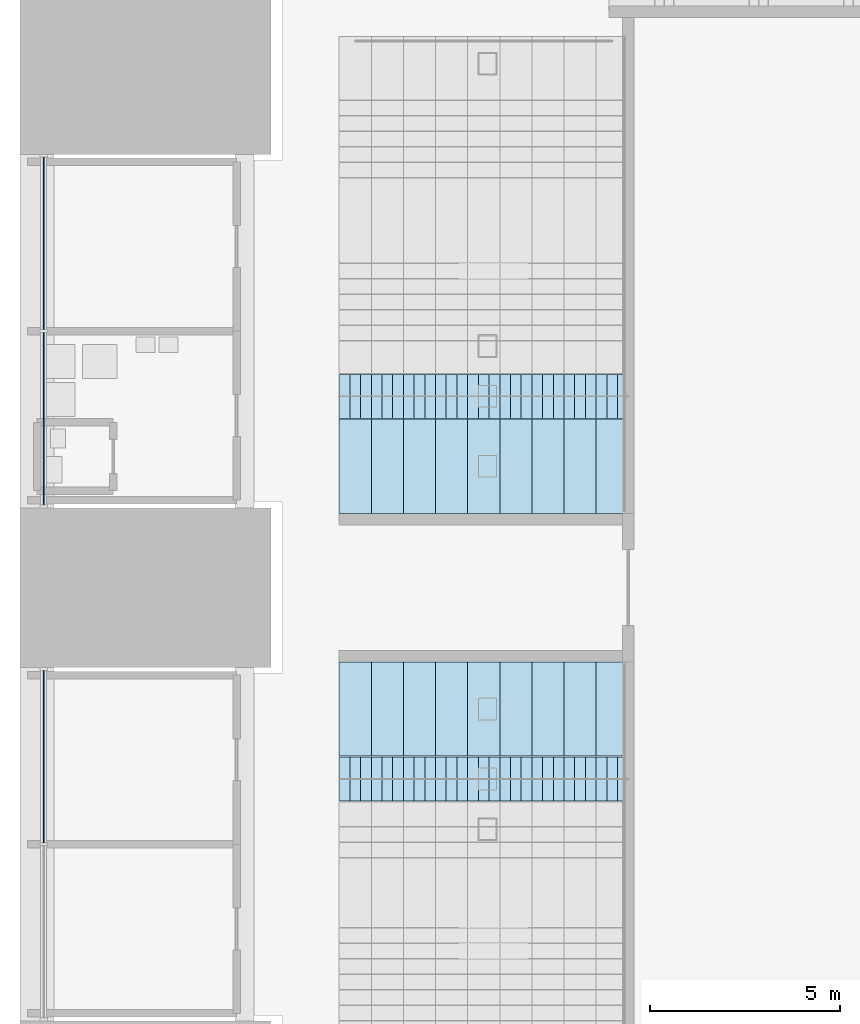
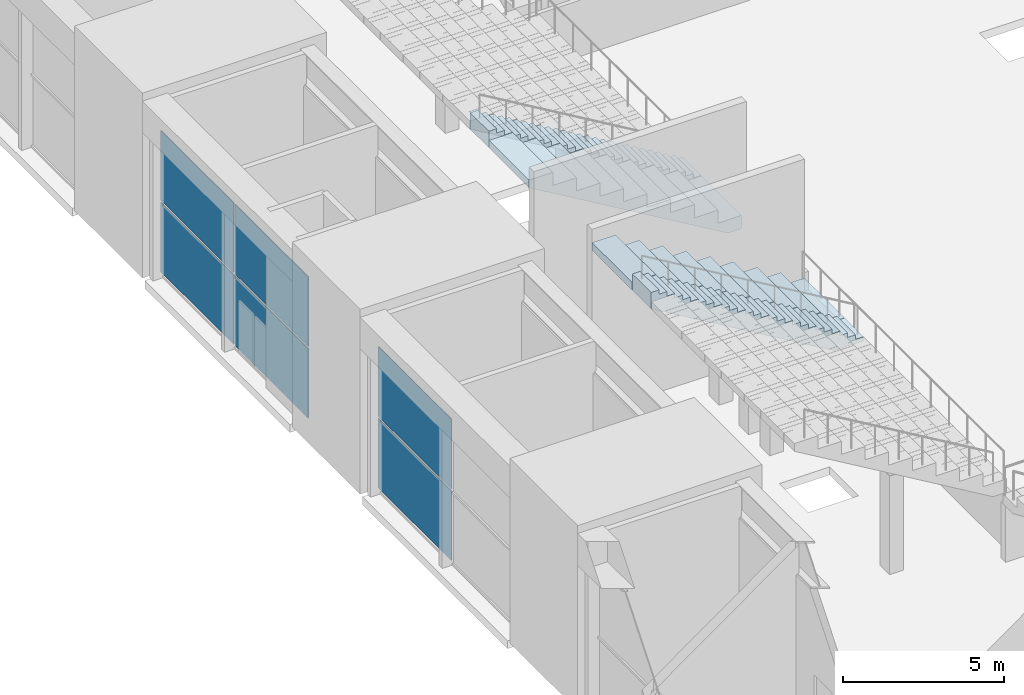
# One storey, part 21 of 62: 6 plates, 4 slabs, 2 elements without a shape of their own.
"""IFC4 building model written with IfcOpenShell, lengths in metres."""

from ifc_helpers import new_model, si_unit, direction, frame, origin, origin_2d, place, context, subcontext, project, spatial, polyline, rectangle, outline, extrude, material, layer, layer_set, type_object, element, aggregate, save


model = new_model("IFC4")

# Units and contexts
model_context = context("Model", 3, precision=1e-05, world=origin(), true_north=direction((0.0, 1.0)))
body_context = subcontext(model_context, "Body", "Model", "MODEL_VIEW")
ifc_project = project(units=[si_unit("LENGTHUNIT", "METRE"), si_unit("AREAUNIT", "SQUARE_METRE"), si_unit("VOLUMEUNIT", "CUBIC_METRE"), si_unit("PLANEANGLEUNIT", "RADIAN"), si_unit("MASSUNIT", "GRAM", prefix="KILO")], contexts=[model_context])

# Site, building, storey
site_placement = place(None, origin())
site = spatial("IfcSite", under=ifc_project, at=site_placement, CompositionType="ELEMENT")
building_placement = place(site_placement, origin())
building = spatial("IfcBuilding", under=site, at=building_placement, Name="Corbelhall Arena Tower", CompositionType="ELEMENT")
storey_placement = place(building_placement, frame((0.0, 0.0, 12.0)))
storey = spatial("IfcBuildingStorey", under=building, at=storey_placement, Name="L01", CompositionType="ELEMENT", Elevation=12.0)

# Slabs
ifc_material_1 = material(Name="Precast concrete C40/50", Category="concrete")
ifc_layer_1 = layer(ifc_material_1, 0.25)
ifc_layer_set_1 = layer_set([ifc_layer_1], Name="AISLE STEPS (BC 1029)")
slab_type_1 = type_object("IfcSlabType", Name="AISLE STEPS (BC 1029)", PredefinedType="FLOOR", material=ifc_layer_set_1)
slab_1_placement = place(storey_placement, frame((-32.0, 5.033203125, 2.333251953125), z_axis=(0.0, 0.0, 1.0), x_axis=(-1.0, 0.0, 0.0)))
element("IfcSlab", 1, at=slab_1_placement, inside=storey, type_object=slab_type_1, Name="Aisle steps LW-AIS1", PredefinedType="FLOOR", context=body_context, shape_type="SweptSolid", body=[
    extrude(outline(polyline([(0.0, 0.0), (0.0, 0.166748046875), (0.28173828125, 0.166748046875), (0.28173828125, 0.333251953125), (0.563232421875, 0.333251953125), (0.563232421875, 0.5), (0.844970703125, 0.5), (0.844970703125, 0.666748046875), (1.126708984375, 0.666748046875), (1.126708984375, 0.833251953125), (1.408447265625, 0.833251953125), (1.408447265625, 1.0), (1.68994140625, 1.0), (1.68994140625, 1.166748046875), (1.9716796875, 1.166748046875), (1.9716796875, 1.333251953125), (2.25341796875, 1.333251953125), (2.25341796875, 1.5), (2.534912109375, 1.5), (2.534912109375, 1.666748046875), (2.816650390625, 1.666748046875), (2.816650390625, 1.833251953125), (3.098388671875, 1.833251953125), (3.098388671875, 2.0), (3.3798828125, 2.0), (3.3798828125, 2.166748046875), (3.66162109375, 2.166748046875), (3.66162109375, 2.333251953125), (3.943359375, 2.333251953125), (3.943359375, 2.5), (4.22509765625, 2.5), (4.22509765625, 2.666748046875), (4.506591796875, 2.666748046875), (4.506591796875, 2.833251953125), (4.788330078125, 2.833251953125), (4.788330078125, 3.0), (5.070068359375, 3.0), (5.070068359375, 3.166748046875), (5.3515625, 3.166748046875), (5.3515625, 3.333251953125), (5.63330078125, 3.333251953125), (5.63330078125, 3.5), (5.9150390625, 3.5), (5.9150390625, 3.666748046875), (6.19677734375, 3.666748046875), (6.19677734375, 3.833251953125), (6.478271484375, 3.833251953125), (6.478271484375, 4.0), (6.760009765625, 4.0), (6.760009765625, 4.166748046875), (7.041748046875, 4.166748046875), (7.041748046875, 4.333251953125), (7.3232421875, 4.333251953125), (7.3232421875, 4.5), (7.60498046875, 4.5), (7.60498046875, 4.666748046875), (7.60498046875, 3.876220703125), (1.05419921875, 0.0), (0.0, 0.0)])), frame((0.0, 0.580078125, 0.0), z_axis=(0.0, -1.0, 0.0), x_axis=(1.0, 0.0, 0.0)), (0.0, 0.0, 1.0), 1.159912109375),
])
slab_2_placement = place(storey_placement, frame((-32.0, -5.033203125, 2.333251953125), z_axis=(0.0, 0.0, 1.0), x_axis=(-1.0, 0.0, 0.0)))
element("IfcSlab", 2, at=slab_2_placement, inside=storey, type_object=slab_type_1, Name="Aisle steps LW-AIS2", PredefinedType="FLOOR", context=body_context, shape_type="SweptSolid", body=[
    extrude(outline(polyline([(0.0, 0.0), (0.0, 0.166748046875), (0.28173828125, 0.166748046875), (0.28173828125, 0.333251953125), (0.563232421875, 0.333251953125), (0.563232421875, 0.5), (0.844970703125, 0.5), (0.844970703125, 0.666748046875), (1.126708984375, 0.666748046875), (1.126708984375, 0.833251953125), (1.408447265625, 0.833251953125), (1.408447265625, 1.0), (1.68994140625, 1.0), (1.68994140625, 1.166748046875), (1.9716796875, 1.166748046875), (1.9716796875, 1.333251953125), (2.25341796875, 1.333251953125), (2.25341796875, 1.5), (2.534912109375, 1.5), (2.534912109375, 1.666748046875), (2.816650390625, 1.666748046875), (2.816650390625, 1.833251953125), (3.098388671875, 1.833251953125), (3.098388671875, 2.0), (3.3798828125, 2.0), (3.3798828125, 2.166748046875), (3.66162109375, 2.166748046875), (3.66162109375, 2.333251953125), (3.943359375, 2.333251953125), (3.943359375, 2.5), (4.22509765625, 2.5), (4.22509765625, 2.666748046875), (4.506591796875, 2.666748046875), (4.506591796875, 2.833251953125), (4.788330078125, 2.833251953125), (4.788330078125, 3.0), (5.070068359375, 3.0), (5.070068359375, 3.166748046875), (5.3515625, 3.166748046875), (5.3515625, 3.333251953125), (5.63330078125, 3.333251953125), (5.63330078125, 3.5), (5.9150390625, 3.5), (5.9150390625, 3.666748046875), (6.19677734375, 3.666748046875), (6.19677734375, 3.833251953125), (6.478271484375, 3.833251953125), (6.478271484375, 4.0), (6.760009765625, 4.0), (6.760009765625, 4.166748046875), (7.041748046875, 4.166748046875), (7.041748046875, 4.333251953125), (7.3232421875, 4.333251953125), (7.3232421875, 4.5), (7.60498046875, 4.5), (7.60498046875, 4.666748046875), (7.60498046875, 3.876220703125), (1.05419921875, 0.0), (0.0, 0.0)])), frame((0.0, 0.580078125, 0.0), z_axis=(0.0, -1.0, 0.0), x_axis=(1.0, 0.0, 0.0)), (0.0, 0.0, 1.0), 1.159912109375),
])
ifc_layer_2 = layer(ifc_material_1, 0.25)
ifc_layer_set_2 = layer_set([ifc_layer_2], Name="AR-TIER-RAKED")
slab_type_2 = type_object("IfcSlabType", Name="AR-TIER-RAKED", PredefinedType="FLOOR", material=ifc_layer_set_2)
for number, where, z_axis, x_axis, name in (
    (3, (-32.0, 3.191650390625, 2.0), (0.0, 0.0, 1.0), (-1.0, 0.0, 0.0), "Tier section LWB"),
    (4, (-32.0, -3.191650390625, 2.0), (0.0, 0.0, 1.0), (-1.0, 0.0, 0.0), "Tier section LWBR"),
):
    element("IfcSlab", number, at=place(storey_placement, frame(where, z_axis=z_axis, x_axis=x_axis)), inside=storey, type_object=slab_type_2, Name=name, PredefinedType="FLOOR", context=body_context, shape_type="SweptSolid", body=[
        extrude(outline(polyline([(0.0, 0.0), (0.0, 0.5), (0.844970703125, 0.5), (0.844970703125, 1.0), (1.68994140625, 1.0), (1.68994140625, 1.5), (2.534912109375, 1.5), (2.534912109375, 2.0), (3.3798828125, 2.0), (3.3798828125, 2.5), (4.22509765625, 2.5), (4.22509765625, 3.0), (5.070068359375, 3.0), (5.070068359375, 3.5), (5.9150390625, 3.5), (5.9150390625, 4.0), (6.760009765625, 4.0), (6.760009765625, 4.5), (7.60498046875, 4.5), (7.60498046875, 5.0), (7.60498046875, 4.20947265625), (0.490966796875, 0.0), (0.0, 0.0)])), frame((0.0, 1.24169921875, 0.0), z_axis=(0.0, -1.0, 0.0), x_axis=(1.0, 0.0, 0.0)), (0.0, 0.0, 1.0), 2.4833984375),
    ])

# Curtain wall, plates
ifc_material_2 = material(Name="Aluminium black anodised", Category="aluminium")
ifc_layer_3 = layer(ifc_material_2, 0.239990234375)
ifc_layer_set_3 = layer_set([ifc_layer_3], Name="EV-CW4 Arena concourse glazing")
curtain_wall_type = type_object("IfcCurtainWallType", Name="EV-CW4 Arena concourse glazing", PredefinedType="NOTDEFINED", material=ifc_layer_set_3)
curtain_wall_1_placement = place(storey_placement, origin())
curtain_wall_1 = element("IfcCurtainWall", 5, at=curtain_wall_1_placement, inside=storey, type_object=curtain_wall_type, Name="Curtain wall CW4", PredefinedType="NOTDEFINED")
ifc_material_3 = material(Name="Glass dark tinted laminated", Category="glass")
ifc_layer_4 = layer(ifc_material_3, 0.028076171875)
ifc_layer_set_4 = layer_set([ifc_layer_4], Name="EV-CW4-PANEL")
plate_type = type_object("IfcPlateType", Name="EV-CW4-PANEL", PredefinedType="CURTAIN_PANEL", material=ifc_layer_set_4)
plate_1_placement = place(storey_placement, frame((-47.3798828125, 9.05615234375, 0.0751953125), z_axis=(0.0, 0.0, 1.0), x_axis=(0.0, -1.0, 0.0)))
plate_1 = element("IfcPlate", 6, at=plate_1_placement, type_object=plate_type, Name="CW4 panel 1.1", PredefinedType="CURTAIN_PANEL", context=body_context, shape_type="SweptSolid", body=[
    extrude(rectangle(XDim=4.53759765625, YDim=0.028076171875, at=origin_2d()), origin(), (0.0, 0.0, 1.0), 2.637451171875),
])
plate_2_placement = place(storey_placement, frame((-47.3798828125, 9.05615234375, 2.78759765625), z_axis=(0.0, 0.0, 1.0), x_axis=(0.0, -1.0, 0.0)))
plate_2 = element("IfcPlate", 7, at=plate_2_placement, type_object=plate_type, Name="CW4 panel 1.2", PredefinedType="CURTAIN_PANEL", context=body_context, shape_type="SweptSolid", body=[
    extrude(rectangle(XDim=4.53759765625, YDim=0.028076171875, at=origin_2d()), origin(), (0.0, 0.0, 1.0), 2.637451171875),
])
plate_3_placement = place(storey_placement, frame((-47.3798828125, 4.44384765625, 0.0751953125), z_axis=(0.0, 0.0, 1.0), x_axis=(0.0, -1.0, 0.0)))
plate_3 = element("IfcPlate", 8, at=plate_3_placement, type_object=plate_type, Name="CW4 panel 2.1", PredefinedType="CURTAIN_PANEL", context=body_context, shape_type="SweptSolid", body=[
    extrude(rectangle(XDim=4.53759765625, YDim=0.028076171875, at=origin_2d()), origin(), (0.0, 0.0, 1.0), 2.637451171875),
])
plate_4_placement = place(storey_placement, frame((-47.3798828125, 4.44384765625, 2.78759765625), z_axis=(0.0, 0.0, 1.0), x_axis=(0.0, -1.0, 0.0)))
plate_4 = element("IfcPlate", 9, at=plate_4_placement, type_object=plate_type, Name="CW4 panel 2.2", PredefinedType="CURTAIN_PANEL", context=body_context, shape_type="SweptSolid", body=[
    extrude(rectangle(XDim=4.53759765625, YDim=0.028076171875, at=origin_2d()), origin(), (0.0, 0.0, 1.0), 2.637451171875),
])
aggregate(curtain_wall_1, [plate_1, plate_2, plate_3, plate_4])

curtain_wall_2_placement = place(storey_placement, origin())
curtain_wall_2 = element("IfcCurtainWall", 10, at=curtain_wall_2_placement, inside=storey, type_object=curtain_wall_type, Name="Curtain wall CW4", PredefinedType="NOTDEFINED")
plate_5_placement = place(storey_placement, frame((-47.3798828125, -4.44384765625, 0.0751953125), z_axis=(0.0, 0.0, 1.0), x_axis=(0.0, -1.0, 0.0)))
plate_5 = element("IfcPlate", 11, at=plate_5_placement, type_object=plate_type, Name="CW4 panel 1.1", PredefinedType="CURTAIN_PANEL", context=body_context, shape_type="SweptSolid", body=[
    extrude(rectangle(XDim=4.53759765625, YDim=0.028076171875, at=origin_2d()), origin(), (0.0, 0.0, 1.0), 2.637451171875),
])
plate_6_placement = place(storey_placement, frame((-47.3798828125, -4.44384765625, 2.78759765625), z_axis=(0.0, 0.0, 1.0), x_axis=(0.0, -1.0, 0.0)))
plate_6 = element("IfcPlate", 12, at=plate_6_placement, type_object=plate_type, Name="CW4 panel 1.2", PredefinedType="CURTAIN_PANEL", context=body_context, shape_type="SweptSolid", body=[
    extrude(rectangle(XDim=4.53759765625, YDim=0.028076171875, at=origin_2d()), origin(), (0.0, 0.0, 1.0), 2.637451171875),
])
aggregate(curtain_wall_2, [plate_5, plate_6])

save(model, "model.ifc")
